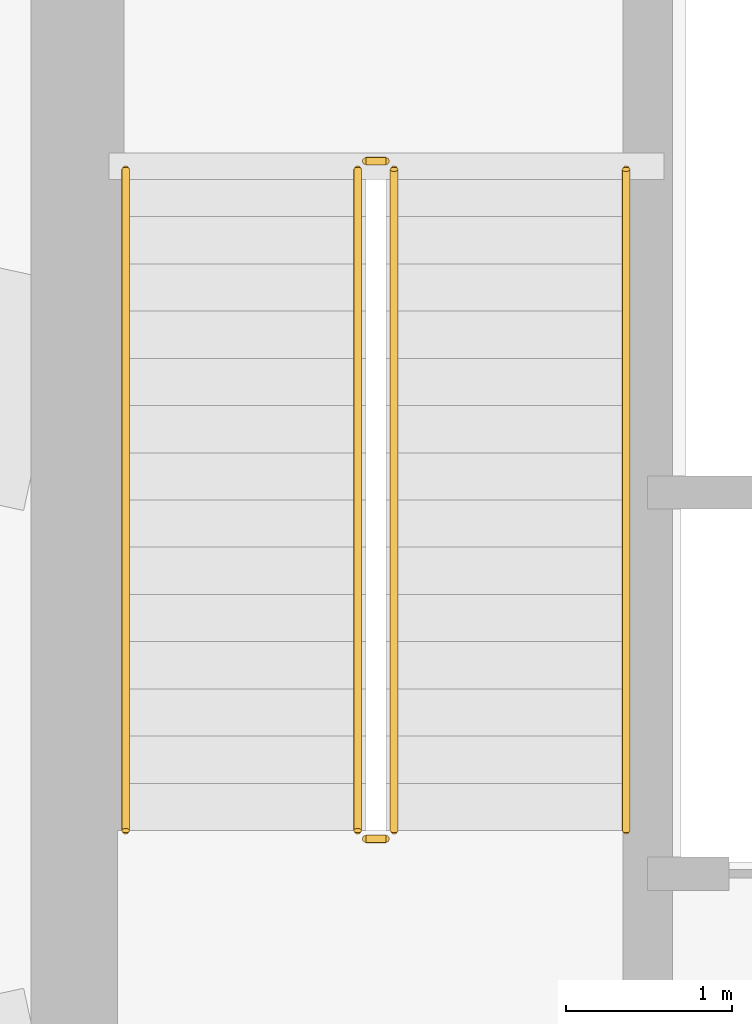
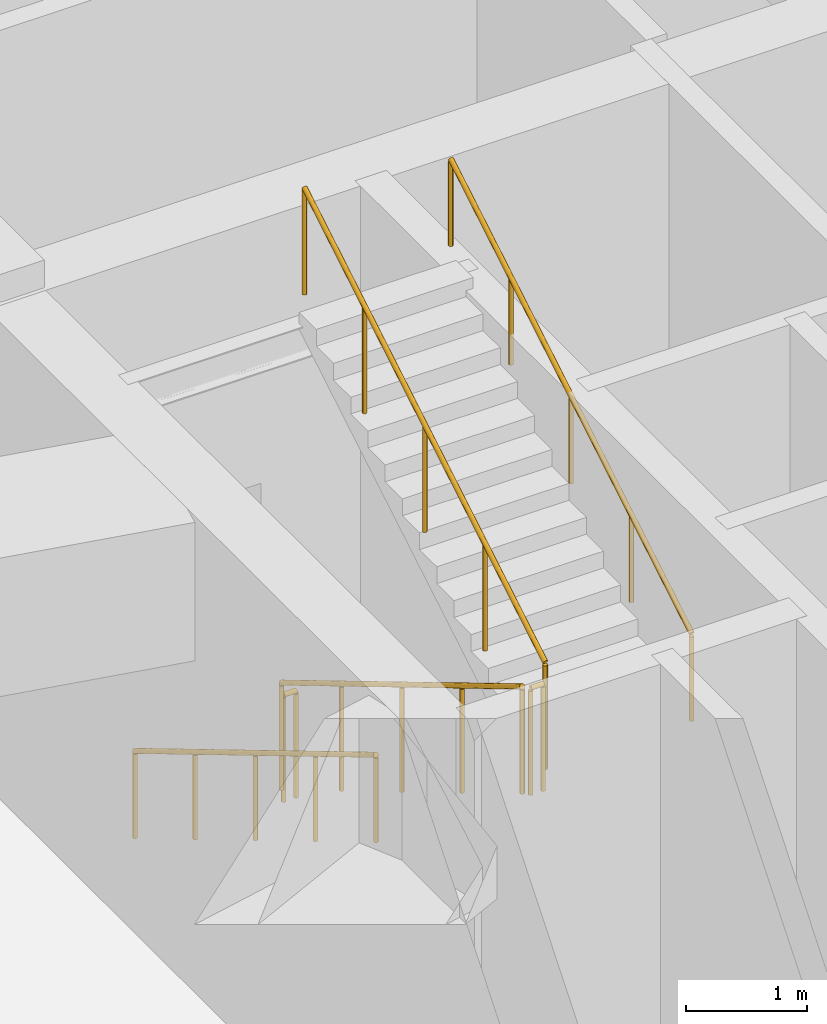
# One storey, part 19 of 20: 6 railings.
"""IFC4 building model written with IfcOpenShell, lengths in metres."""

from ifc_helpers import new_model, si_unit, direction, frame, origin, origin_2d, place, context, subcontext, project, spatial, circle, extrude, material, type_object, element, save


model = new_model("IFC4")

# Units and contexts
model_context = context("Model", 3, precision=1e-05, world=origin(), true_north=direction((0.0, 1.0)))
body_context = subcontext(model_context, "Body", "Model", "MODEL_VIEW")
ifc_project = project(units=[si_unit("LENGTHUNIT", "METRE"), si_unit("AREAUNIT", "SQUARE_METRE"), si_unit("VOLUMEUNIT", "CUBIC_METRE"), si_unit("PLANEANGLEUNIT", "RADIAN"), si_unit("MASSUNIT", "GRAM", prefix="KILO")], contexts=[model_context])

# Site, building, storey
site_placement = place(None, origin())
site = spatial("IfcSite", under=ifc_project, at=site_placement, CompositionType="ELEMENT")
building_placement = place(site_placement, origin())
building = spatial("IfcBuilding", under=site, at=building_placement, Name="Qobustan Lattice House", CompositionType="ELEMENT")
storey_placement = place(building_placement, frame((0.0, 0.0, 73.89990234375)))
storey = spatial("IfcBuildingStorey", under=building, at=storey_placement, Name="L20", CompositionType="ELEMENT", Elevation=73.89990234375)

# Railings
ifc_material_1 = material(Name="Brushed stainless steel handrail", Category="steel")
railing_type_1 = type_object("IfcRailingType", Name="RAL-HR-920", PredefinedType="HANDRAIL", material=ifc_material_1)
railing_1_placement = place(storey_placement, frame((-18.199951171875, 3.5, 0.170166015625)))
element("IfcRailing", 1, at=railing_1_placement, inside=storey, type_object=railing_type_1, Name="L20 ST-W1 stair handrail 1", PredefinedType="HANDRAIL", context=body_context, shape_type="SweptSolid", body=[
    extrude(circle(Radius=0.02392578125, at=origin_2d()), frame((0.0, 0.0, 0.8759765625), z_axis=(0.0, -0.85883005064, 0.512260621284), x_axis=(1.0, 0.0, 0.0)), (0.0, 0.0, 1.0), 4.645751953125),
    extrude(circle(Radius=0.02099609375, at=origin_2d()), origin(), (0.0, 0.0, 1.0), 0.851806640625),
    extrude(circle(Radius=0.02099609375, at=origin_2d()), frame((0.0, -0.99755859375, 0.594970703125)), (0.0, 0.0, 1.0), 0.851806640625),
    extrude(circle(Radius=0.02099609375, at=origin_2d()), frame((0.0, -1.9951171875, 1.18994140625)), (0.0, 0.0, 1.0), 0.851806640625),
    extrude(circle(Radius=0.02099609375, at=origin_2d()), frame((0.0, -2.992431640625, 1.784912109375)), (0.0, 0.0, 1.0), 0.851806640625),
    extrude(circle(Radius=0.02099609375, at=origin_2d()), frame((0.0, -3.989990234375, 2.3798828125)), (0.0, 0.0, 1.0), 0.851806640625),
])
railing_2_placement = place(storey_placement, frame((-15.179931640625, -0.489990234375, 2.72021484375)))
element("IfcRailing", 2, at=railing_2_placement, inside=storey, type_object=railing_type_1, Name="L20 ST-W1 stair handrail 2", PredefinedType="HANDRAIL", context=body_context, shape_type="SweptSolid", body=[
    extrude(circle(Radius=0.02392578125, at=origin_2d()), frame((0.0, 0.0, 0.8759765625), z_axis=(0.0, 0.85883005064, 0.512260621284), x_axis=(-1.0, 0.0, 0.0)), (0.0, 0.0, 1.0), 4.645751953125),
    extrude(circle(Radius=0.02099609375, at=origin_2d()), origin(), (0.0, 0.0, 1.0), 0.851806640625),
    extrude(circle(Radius=0.02099609375, at=origin_2d()), frame((0.0, 0.99755859375, 0.594970703125)), (0.0, 0.0, 1.0), 0.851806640625),
    extrude(circle(Radius=0.02099609375, at=origin_2d()), frame((0.0, 1.9951171875, 1.18994140625)), (0.0, 0.0, 1.0), 0.851806640625),
    extrude(circle(Radius=0.02099609375, at=origin_2d()), frame((0.0, 2.992431640625, 1.784912109375)), (0.0, 0.0, 1.0), 0.851806640625),
    extrude(circle(Radius=0.02099609375, at=origin_2d()), frame((0.0, 3.989990234375, 2.3798828125)), (0.0, 0.0, 1.0), 0.851806640625),
])
ifc_material_2 = material(Name="Painted galvanized steel guardrail", Category="steel")
railing_type_2 = type_object("IfcRailingType", Name="RAL-STG-1150", PredefinedType="GUARDRAIL", material=ifc_material_2)
railing_3_placement = place(storey_placement, frame((-16.800048828125, 3.5, 0.170166015625)))
element("IfcRailing", 3, at=railing_3_placement, inside=storey, type_object=railing_type_2, Name="L20 ST-W1 stair guard 1", PredefinedType="GUARDRAIL", context=body_context, shape_type="SweptSolid", body=[
    extrude(circle(Radius=0.02392578125, at=origin_2d()), frame((0.0, 0.0, 1.076171875), z_axis=(0.0, -0.85883005064, 0.512260621284), x_axis=(1.0, 0.0, 0.0)), (0.0, 0.0, 1.0), 4.645751953125),
    extrude(circle(Radius=0.02099609375, at=origin_2d()), origin(), (0.0, 0.0, 1.0), 1.052001953125),
    extrude(circle(Radius=0.02099609375, at=origin_2d()), frame((0.0, -0.99755859375, 0.594970703125)), (0.0, 0.0, 1.0), 1.052001953125),
    extrude(circle(Radius=0.02099609375, at=origin_2d()), frame((0.0, -1.9951171875, 1.18994140625)), (0.0, 0.0, 1.0), 1.052001953125),
    extrude(circle(Radius=0.02099609375, at=origin_2d()), frame((0.0, -2.992431640625, 1.784912109375)), (0.0, 0.0, 1.0), 1.052001953125),
    extrude(circle(Radius=0.02099609375, at=origin_2d()), frame((0.0, -3.989990234375, 2.3798828125)), (0.0, 0.0, 1.0), 1.052001953125),
])
railing_4_placement = place(storey_placement, frame((-16.75, -0.5400390625, 2.550048828125)))
element("IfcRailing", 4, at=railing_4_placement, inside=storey, type_object=railing_type_2, Name="L20 ST-W1 stair guard 2", PredefinedType="GUARDRAIL", context=body_context, shape_type="SweptSolid", body=[
    extrude(circle(Radius=0.02392578125, at=origin_2d()), frame((0.0, 0.0, 1.076171875), z_axis=(1.0, 0.0, 0.0), x_axis=(0.0, 1.0, 0.0)), (0.0, 0.0, 1.0), 0.1201171875),
    extrude(circle(Radius=0.02099609375, at=origin_2d()), origin(), (0.0, 0.0, 1.0), 1.052001953125),
    extrude(circle(Radius=0.02099609375, at=origin_2d()), frame((0.1201171875, 0.0, 0.0)), (0.0, 0.0, 1.0), 1.052001953125),
])
railing_5_placement = place(storey_placement, frame((-16.580078125, -0.489990234375, 2.72021484375)))
element("IfcRailing", 5, at=railing_5_placement, inside=storey, type_object=railing_type_2, Name="L20 ST-W1 stair guard 3", PredefinedType="GUARDRAIL", context=body_context, shape_type="SweptSolid", body=[
    extrude(circle(Radius=0.02392578125, at=origin_2d()), frame((0.0, 0.0, 1.076171875), z_axis=(0.0, 0.85883005064, 0.512260621284), x_axis=(-1.0, 0.0, 0.0)), (0.0, 0.0, 1.0), 4.645751953125),
    extrude(circle(Radius=0.02099609375, at=origin_2d()), origin(), (0.0, 0.0, 1.0), 1.052001953125),
    extrude(circle(Radius=0.02099609375, at=origin_2d()), frame((0.0, 0.99755859375, 0.594970703125)), (0.0, 0.0, 1.0), 1.052001953125),
    extrude(circle(Radius=0.02099609375, at=origin_2d()), frame((0.0, 1.9951171875, 1.18994140625)), (0.0, 0.0, 1.0), 1.052001953125),
    extrude(circle(Radius=0.02099609375, at=origin_2d()), frame((0.0, 2.992431640625, 1.784912109375)), (0.0, 0.0, 1.0), 1.052001953125),
    extrude(circle(Radius=0.02099609375, at=origin_2d()), frame((0.0, 3.989990234375, 2.3798828125)), (0.0, 0.0, 1.0), 1.052001953125),
])
railing_6_placement = place(storey_placement, frame((-16.75, 3.550048828125, 0.0)))
element("IfcRailing", 6, at=railing_6_placement, inside=storey, type_object=railing_type_2, Name="L20 ST-W1 stair guard 4", PredefinedType="GUARDRAIL", context=body_context, shape_type="SweptSolid", body=[
    extrude(circle(Radius=0.02392578125, at=origin_2d()), frame((0.0, 0.0, 1.076171875), z_axis=(1.0, 0.0, 0.0), x_axis=(0.0, 1.0, 0.0)), (0.0, 0.0, 1.0), 0.1201171875),
    extrude(circle(Radius=0.02099609375, at=origin_2d()), origin(), (0.0, 0.0, 1.0), 1.052001953125),
    extrude(circle(Radius=0.02099609375, at=origin_2d()), frame((0.1201171875, 0.0, 0.0)), (0.0, 0.0, 1.0), 1.052001953125),
])

save(model, "model.ifc")
